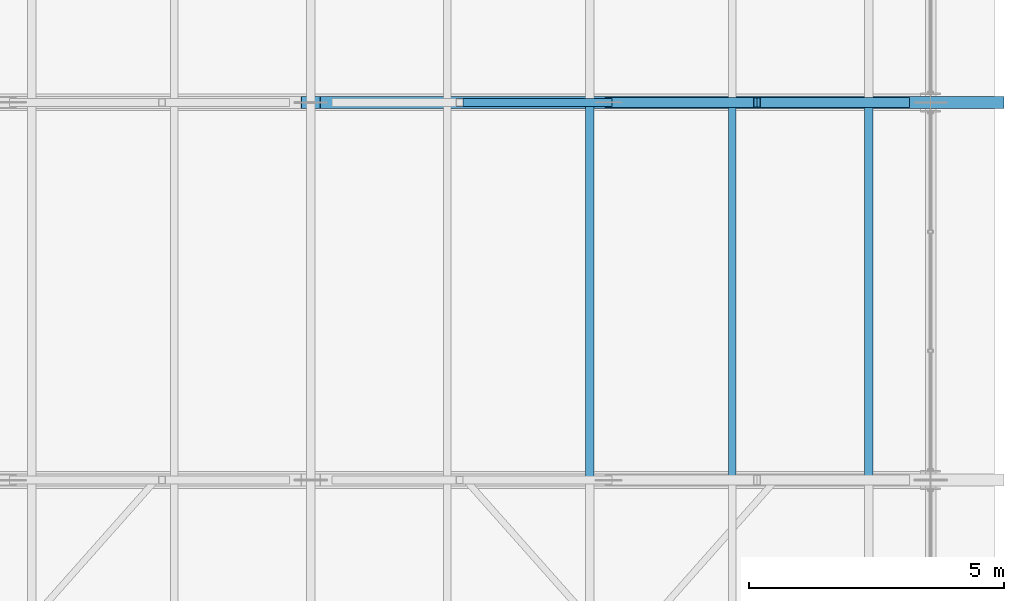
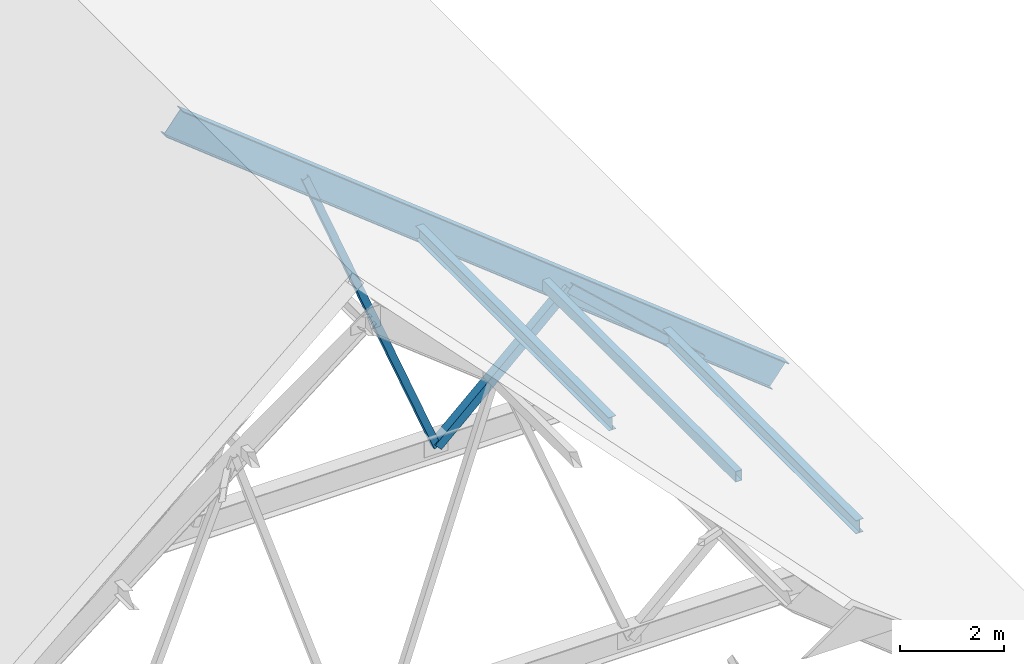
# One storey, part 10 of 44: 6 members, 1 beam.
"""IFC4 building model written with IfcOpenShell, lengths in metres."""

from ifc_helpers import new_model, si_unit, direction, frame, origin, origin_2d, place, context, subcontext, project, spatial, hollow_rectangle, i_section, extrude, material, material_profile, profile_set, type_object, element, save


model = new_model("IFC4")

# Units and contexts
model_context = context("Model", 3, precision=1e-05, world=origin(), true_north=direction((0.0, 1.0)))
body_context = subcontext(model_context, "Body", "Model", "MODEL_VIEW")
ifc_project = project(units=[si_unit("LENGTHUNIT", "METRE"), si_unit("AREAUNIT", "SQUARE_METRE"), si_unit("VOLUMEUNIT", "CUBIC_METRE"), si_unit("PLANEANGLEUNIT", "RADIAN"), si_unit("MASSUNIT", "GRAM", prefix="KILO")], contexts=[model_context])

# Site, building, storey
site_placement = place(None, origin())
site = spatial("IfcSite", under=ifc_project, at=site_placement, CompositionType="ELEMENT")
building_placement = place(site_placement, origin())
building = spatial("IfcBuilding", under=site, at=building_placement, Name="Cimatlan Art Gallery", CompositionType="ELEMENT")
storey_placement = place(building_placement, frame((0.0, 0.0, 26.39990234375)))
storey = spatial("IfcBuildingStorey", under=building, at=storey_placement, Name="Roof", CompositionType="ELEMENT", Elevation=26.39990234375)

# Beam
ifc_material_1 = material(Name="Steel ASTM A992 Grade 50", Category="steel")
ifc_material_profile_1 = material_profile(ifc_material_1, i_section(OverallWidth=0.22802734375, OverallDepth=0.60791015625, WebThickness=0.01123046875, FlangeThickness=0.017333984375, at=origin_2d()), Name="W24X76")
ifc_profile_set_1 = profile_set([ifc_material_profile_1], Name="Steel ASTM A992 Grade 50")
beam_type = type_object("IfcBeamType", Name="BM-TRS-RAF", PredefinedType="BEAM", material=ifc_profile_set_1)
beam_placement = place(storey_placement, frame((87.050048828125, 38.699951171875, 11.0), z_axis=(0.784632771217, 0.0, -0.619960816772), x_axis=(0.0, 1.0, 0.0)))
element("IfcBeam", 1, at=beam_placement, inside=storey, type_object=beam_type, Name="TRS-03-RAF-E", PredefinedType="BEAM", context=body_context, shape_type="SweptSolid", body=[
    extrude(i_section(OverallWidth=0.22802734375, OverallDepth=0.60791015625, WebThickness=0.01123046875, FlangeThickness=0.017333984375, at=origin_2d()), origin(), (0.0, 0.0, 1.0), 17.077880859375),
])

# Members
ifc_material_2 = material(Name="Steel ASTM A500 Grade C", Category="steel")
ifc_material_profile_2 = material_profile(ifc_material_2, hollow_rectangle(XDim=0.14990234375, YDim=0.25, WallThickness=0.010009765625, at=origin_2d()), Name="HSS250X150X10")
ifc_profile_set_2 = profile_set([ifc_material_profile_2], Name="Steel ASTM A500 Grade C")
member_type_1 = type_object("IfcMemberType", Name="MBR-PUR-C250", PredefinedType="PURLIN", material=ifc_profile_set_2)
member_1_placement = place(storey_placement, frame((95.31201171875, 31.300048828125, 4.31201171875), z_axis=(0.0, 1.0, 0.0), x_axis=(-1.0, 0.0, 0.0)))
element("IfcMember", 2, at=member_1_placement, inside=storey, type_object=member_type_1, Name="PUR-V1-B2-E3", PredefinedType="PURLIN", context=body_context, shape_type="SweptSolid", body=[
    extrude(hollow_rectangle(XDim=0.14990234375, YDim=0.25, WallThickness=0.010009765625, at=origin_2d()), origin(), (0.0, 0.0, 1.0), 7.39990234375),
])
ifc_material_profile_3 = material_profile(ifc_material_1, i_section(OverallWidth=0.1650390625, OverallDepth=0.31005859375, WebThickness=0.005859375, FlangeThickness=0.009765625, at=origin_2d()), Name="W12X26")
ifc_profile_set_3 = profile_set([ifc_material_profile_3], Name="Steel ASTM A992 Grade 50")
member_type_2 = type_object("IfcMemberType", Name="MBR-PUR-W12", PredefinedType="PURLIN", material=ifc_profile_set_3)
for number, where, z_axis, x_axis, name in (
    (3, (92.517578125, 31.300048828125, 6.52001953125), (0.0, 1.0, 0.0), (-1.0, 0.0, 0.0), "PUR-V1-B2-E2"),
    (4, (97.985107421875, 31.300048828125, 2.2001953125), (0.0, 1.0, 0.0), (-1.0, 0.0, 0.0), "PUR-V1-B2-E4"),
):
    element("IfcMember", number, at=place(storey_placement, frame(where, z_axis=z_axis, x_axis=x_axis)), inside=storey, type_object=member_type_2, Name=name, PredefinedType="PURLIN", context=body_context, shape_type="SweptSolid", body=[
        extrude(i_section(OverallWidth=0.1650390625, OverallDepth=0.31005859375, WebThickness=0.005859375, FlangeThickness=0.009765625, at=origin_2d()), origin(), (0.0, 0.0, 1.0), 7.39990234375),
    ])
ifc_material_profile_4 = material_profile(ifc_material_2, hollow_rectangle(XDim=0.199951171875, YDim=0.199951171875, WallThickness=0.010009765625, at=origin_2d()), Name="HSS200X200X10")
ifc_profile_set_4 = profile_set([ifc_material_profile_4], Name="Steel ASTM A500 Grade C")
member_type_3 = type_object("IfcMemberType", Name="MBR-TRS-DIAG-1", PredefinedType="BRACE", material=ifc_profile_set_4)
for number, where, z_axis, x_axis, name in (
    (5, (98.714111328125, 38.699951171875, 1.400146484375), (-0.735270574228, 0.0, 0.677773695768), (0.0, -1.0, 0.0), "TRS-03-DE-1"),
    (6, (95.798095703125, 38.699951171875, 4.088134765625), (-0.735270574228, 0.0, -0.677773695768), (0.0, -1.0, 0.0), "TRS-03-DE-2"),
):
    element("IfcMember", number, at=place(storey_placement, frame(where, z_axis=z_axis, x_axis=x_axis)), inside=storey, type_object=member_type_3, Name=name, PredefinedType="BRACE", context=body_context, shape_type="SweptSolid", body=[
        extrude(hollow_rectangle(XDim=0.199951171875, YDim=0.199951171875, WallThickness=0.010009765625, at=origin_2d()), origin(), (0.0, 0.0, 1.0), 3.9658203125),
    ])
ifc_material_profile_5 = material_profile(ifc_material_2, hollow_rectangle(XDim=0.14990234375, YDim=0.14990234375, WallThickness=0.008056640625, at=origin_2d()), Name="HSS150X150X8")
ifc_profile_set_5 = profile_set([ifc_material_profile_5], Name="Steel ASTM A500 Grade C")
member_type_4 = type_object("IfcMemberType", Name="MBR-TRS-DIAG-2", PredefinedType="BRACE", material=ifc_profile_set_5)
member_2_placement = place(storey_placement, frame((92.882080078125, 38.699951171875, 1.400146484375), z_axis=(-0.371133507913, 0.0, 0.928579516953), x_axis=(0.0, -1.0, 0.0)))
element("IfcMember", 7, at=member_2_placement, inside=storey, type_object=member_type_4, Name="TRS-03-DE-3", PredefinedType="BRACE", context=body_context, shape_type="SweptSolid", body=[
    extrude(hollow_rectangle(XDim=0.14990234375, YDim=0.14990234375, WallThickness=0.008056640625, at=origin_2d()), origin(), (0.0, 0.0, 1.0), 7.85693359375),
])

save(model, "model.ifc")
